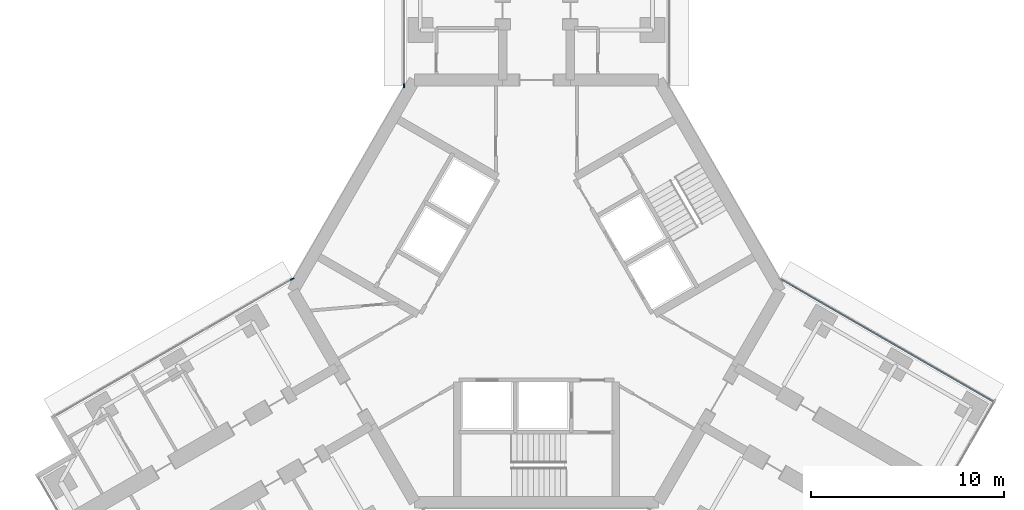
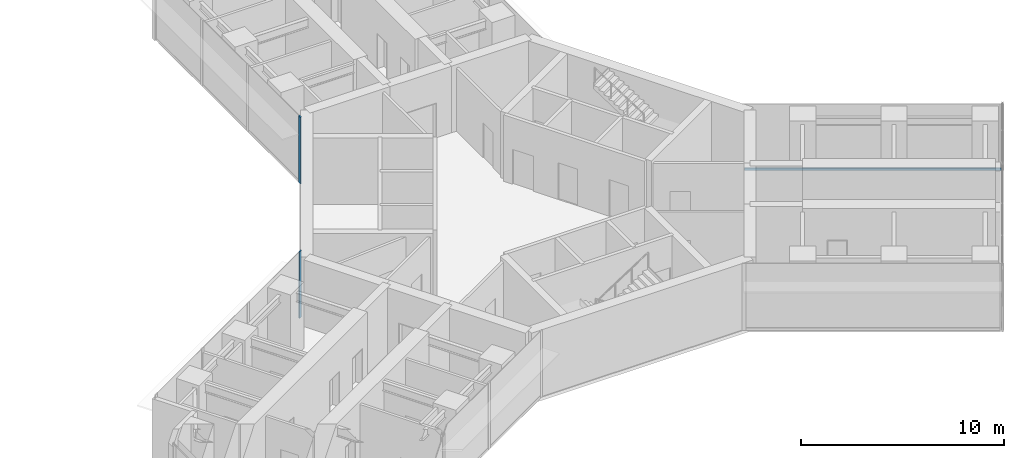
# One storey, part 9 of 22: 3 members, 3 elements without a shape of their own.
"""IFC4 building model written with IfcOpenShell, lengths in metres."""

from ifc_helpers import new_model, si_unit, direction, frame, origin, origin_2d, place, context, subcontext, project, spatial, rectangle, extrude, material, material_profile, profile_set, type_object, element, aggregate, save


model = new_model("IFC4")

# Units and contexts
model_context = context("Model", 3, precision=1e-05, world=origin(), true_north=direction((0.0, 1.0)))
body_context = subcontext(model_context, "Body", "Model", "MODEL_VIEW")
ifc_project = project(units=[si_unit("LENGTHUNIT", "METRE"), si_unit("AREAUNIT", "SQUARE_METRE"), si_unit("VOLUMEUNIT", "CUBIC_METRE"), si_unit("PLANEANGLEUNIT", "RADIAN"), si_unit("MASSUNIT", "GRAM", prefix="KILO")], contexts=[model_context])

# Site, building, storey
site_placement = place(None, origin())
site = spatial("IfcSite", under=ifc_project, at=site_placement, CompositionType="ELEMENT")
building_placement = place(site_placement, origin())
building = spatial("IfcBuilding", under=site, at=building_placement, Name="Upepo Twin Towers", CompositionType="ELEMENT")
storey_placement = place(building_placement, frame((0.0, 0.0, 137.5)))
storey = spatial("IfcBuildingStorey", under=building, at=storey_placement, Name="L33", CompositionType="ELEMENT", Elevation=137.5)

# Curtain wall, member
ifc_material_1 = material(Name="Aluminium and fritted glass", Category="aluminium")
curtain_wall_type = type_object("IfcCurtainWallType", Name="Tower curtain wall TW2, fritted glass", PredefinedType="NOTDEFINED", material=ifc_material_1)
curtain_wall_1_placement = place(storey_placement, origin())
curtain_wall_1 = element("IfcCurtainWall", 1, at=curtain_wall_1_placement, inside=storey, type_object=curtain_wall_type, Name="T2 L33 wing A flank L curtain wall", PredefinedType="NOTDEFINED")
ifc_material_2 = material(Name="Aluminium mullion", Category="aluminium")
ifc_material_profile_1 = material_profile(ifc_material_2, rectangle(XDim=0.06494140625, YDim=0.199951171875, at=origin_2d()), Name="MULLION 65x200")
ifc_profile_set_1 = profile_set([ifc_material_profile_1], Name="Aluminium mullion")
member_type_1 = type_object("IfcMemberType", Name="Mullion 65x200 TW2", PredefinedType="MULLION", material=ifc_profile_set_1)
member_1_placement = place(storey_placement, frame((51.64990234375, -7.38037109375, 0.0), z_axis=(0.0, 0.0, 1.0), x_axis=(-1.0, 0.0, 0.0)))
member_1 = element("IfcMember", 2, at=member_1_placement, type_object=member_type_1, Name="T2 L33 wing A flank L curtain wall mullion 1", PredefinedType="MULLION", context=body_context, shape_type="SweptSolid", body=[
    extrude(rectangle(XDim=0.06494140625, YDim=0.199951171875, at=origin_2d()), origin(), (0.0, 0.0, 1.0), 4.0),
])
aggregate(curtain_wall_1, [member_1])

curtain_wall_2_placement = place(storey_placement, origin())
curtain_wall_2 = element("IfcCurtainWall", 3, at=curtain_wall_2_placement, inside=storey, type_object=curtain_wall_type, Name="T2 L33 wing B flank R curtain wall", PredefinedType="NOTDEFINED")
member_2_placement = place(storey_placement, frame((45.878173828125, -17.37744140625, 0.0), z_axis=(0.0, 0.0, 1.0), x_axis=(-0.500000010308, 0.866025397833, 0.0)))
member_2 = element("IfcMember", 4, at=member_2_placement, type_object=member_type_1, Name="T2 L33 wing B flank R curtain wall mullion 4", PredefinedType="MULLION", context=body_context, shape_type="SweptSolid", body=[
    extrude(rectangle(XDim=0.06494140625, YDim=0.199951171875, at=origin_2d()), origin(), (0.0, 0.0, 1.0), 4.0),
])
aggregate(curtain_wall_2, [member_2])

curtain_wall_3_placement = place(storey_placement, origin())
curtain_wall_3 = element("IfcCurtainWall", 5, at=curtain_wall_3_placement, inside=storey, type_object=curtain_wall_type, Name="T2 L33 wing C flank L curtain wall", PredefinedType="NOTDEFINED")
ifc_material_3 = material(Name="Aluminium transom", Category="aluminium")
ifc_material_profile_2 = material_profile(ifc_material_3, rectangle(XDim=0.06494140625, YDim=0.14990234375, at=origin_2d()), Name="TRANSOM 65x150")
ifc_profile_set_2 = profile_set([ifc_material_profile_2], Name="Aluminium transom")
member_type_2 = type_object("IfcMemberType", Name="Transom 65x150 TW2", PredefinedType="USERDEFINED", material=ifc_profile_set_2)
member_3_placement = place(storey_placement, frame((71.14990234375, -17.393798828125, 0.074951171875), z_axis=(0.866027247007, -0.499996807431, 0.0), x_axis=(0.499996807431, 0.866027247007, 0.0)))
member_3 = element("IfcMember", 6, at=member_3_placement, type_object=member_type_2, Name="T2 L33 wing C flank L curtain wall transom 1", ObjectType="TRANSOM", PredefinedType="USERDEFINED", context=body_context, shape_type="SweptSolid", body=[
    extrude(rectangle(XDim=0.06494140625, YDim=0.14990234375, at=origin_2d()), origin(), (0.0, 0.0, 1.0), 12.6328125),
])
aggregate(curtain_wall_3, [member_3])

save(model, "model.ifc")
